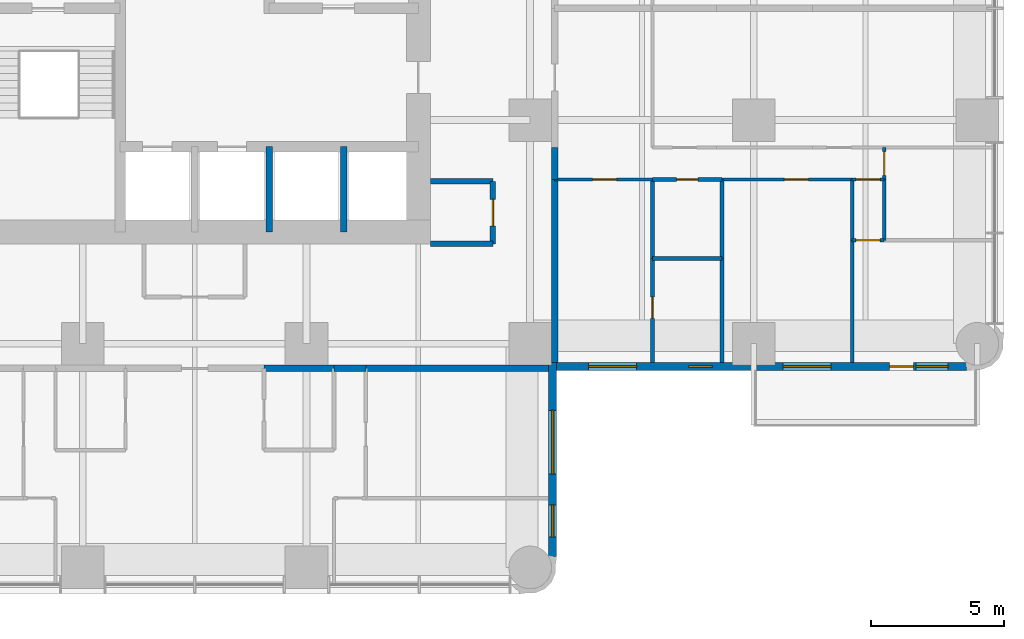
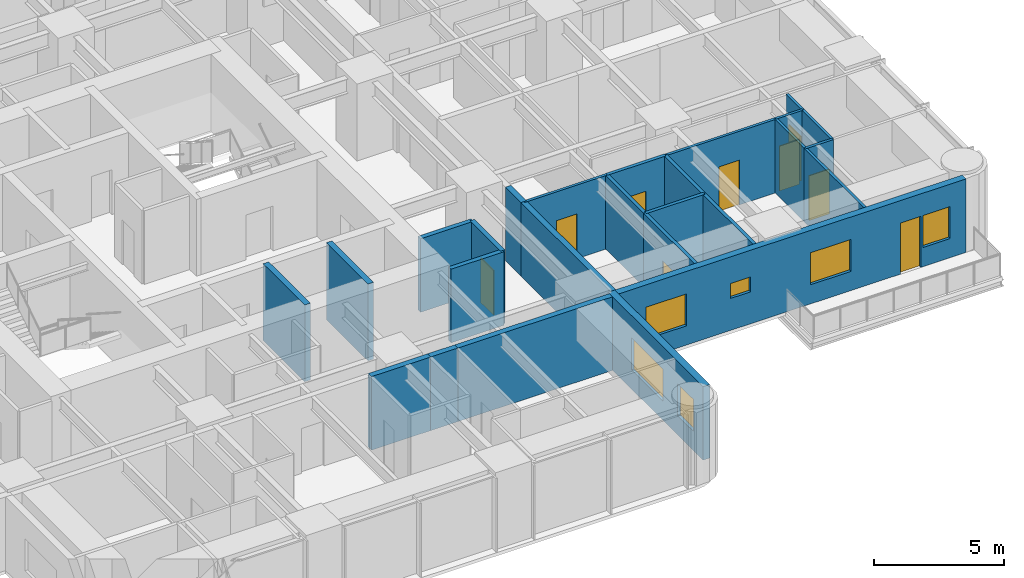
# One storey, part 9 of 15: 26 walls, 9 doors, 6 windows, 15 openings.
"""IFC4 building model written with IfcOpenShell, lengths in metres."""

from ifc_helpers import new_model, si_unit, direction, frame, frame_2d, origin, place, context, subcontext, project, spatial, rectangle, extrude, material, layer, layer_set, type_object, element, fill, save


model = new_model("IFC4")

# Units and contexts
model_context = context("Model", 3, precision=1e-05, world=origin(), true_north=direction((0.0, 1.0)))
body_context = subcontext(model_context, "Body", "Model", "MODEL_VIEW")
ifc_project = project(units=[si_unit("LENGTHUNIT", "METRE"), si_unit("AREAUNIT", "SQUARE_METRE"), si_unit("VOLUMEUNIT", "CUBIC_METRE"), si_unit("PLANEANGLEUNIT", "RADIAN"), si_unit("MASSUNIT", "GRAM", prefix="KILO")], contexts=[model_context])

# Site, building, storey
site_placement = place(None, origin())
site = spatial("IfcSite", under=ifc_project, at=site_placement, CompositionType="ELEMENT")
building_placement = place(site_placement, origin())
building = spatial("IfcBuilding", under=site, at=building_placement, Name="Torre Alcanfor", CompositionType="ELEMENT")
storey_placement = place(building_placement, frame((0.0, 0.0, 123.300048828125)))
storey = spatial("IfcBuildingStorey", under=building, at=storey_placement, Name="L31", CompositionType="ELEMENT", Elevation=123.300048828125)

# Walls
ifc_material_1 = material(Name="Concrete block masonry, hollow blocks NMX-C-404 9 MPa", Category="masonry")
ifc_layer_1 = layer(ifc_material_1, 0.25)
ifc_layer_set_1 = layer_set([ifc_layer_1], Name="Apartment entrance wall 250 EI 60")
wall_type_1 = type_object("IfcWallType", Name="Apartment entrance wall 250 EI 60", PredefinedType="PARTITIONING", material=ifc_layer_set_1)
wall_1_placement = place(storey_placement, frame((42.925048828125, 24.1708984375, 0.0), z_axis=(0.0, 0.0, 1.0), x_axis=(0.0, -1.0, 0.0)))
element("IfcWall", 1, at=wall_1_placement, inside=storey, type_object=wall_type_1, Name="Partition L31-CORR / L31-E2-HALL", PredefinedType="PARTITIONING", context=body_context, shape_type="SweptSolid", body=[
    extrude(rectangle(XDim=1.199951171875, YDim=0.25, at=frame_2d((0.60009765625, 0.0))), origin(), (0.0, 0.0, 1.0), 3.449951171875),
])
wall_2_placement = place(storey_placement, frame((42.925048828125, 22.970947265625, 0.0), z_axis=(0.0, 0.0, 1.0), x_axis=(0.0, -1.0, 0.0)))
element("IfcWall", 2, at=wall_2_placement, inside=storey, type_object=wall_type_1, Name="Partition L31-CORR / L31-E2-SERV", PredefinedType="PARTITIONING", context=body_context, shape_type="SweptSolid", body=[
    extrude(rectangle(XDim=6.870849609375, YDim=0.25, at=frame_2d((3.435546875, 0.0))), origin(), (0.0, 0.0, 1.0), 3.449951171875),
])
wall_3_placement = place(storey_placement, frame((34.62890625, 15.875, 0.0), z_axis=(0.0, 0.0, 1.0), x_axis=(-1.0, 0.0, 0.0)))
element("IfcWall", 3, at=wall_3_placement, inside=storey, type_object=wall_type_1, Name="Partition L31-CORR / L31-SX-BATH2", PredefinedType="PARTITIONING", context=body_context, shape_type="SweptSolid", body=[
    extrude(rectangle(XDim=2.62890625, YDim=0.25, at=frame_2d((1.314453125, 0.0))), origin(), (0.0, 0.0, 1.0), 3.449951171875),
])
wall_4_placement = place(storey_placement, frame((35.8291015625, 15.875, 0.0), z_axis=(0.0, 0.0, 1.0), x_axis=(-1.0, 0.0, 0.0)))
element("IfcWall", 4, at=wall_4_placement, inside=storey, type_object=wall_type_1, Name="Partition L31-CORR / L31-SX-LIVING", PredefinedType="PARTITIONING", context=body_context, shape_type="SweptSolid", body=[
    extrude(rectangle(XDim=1.2001953125, YDim=0.25, at=frame_2d((0.60009765625, 0.0))), origin(), (0.0, 0.0, 1.0), 3.449951171875),
])
wall_5_placement = place(storey_placement, frame((42.699951171875, 15.875, 0.0), z_axis=(0.0, 0.0, 1.0), x_axis=(-1.0, 0.0, 0.0)))
element("IfcWall", 5, at=wall_5_placement, inside=storey, type_object=wall_type_1, Name="Partition L31-CORR / L31-SX-BED2", PredefinedType="PARTITIONING", context=body_context, shape_type="SweptSolid", body=[
    extrude(rectangle(XDim=6.870849609375, YDim=0.25, at=frame_2d((3.435546875, 0.0))), origin(), (0.0, 0.0, 1.0), 3.449951171875),
])

# Wall, opening, door
ifc_material_2 = material(Name="Gypsum board on steel studs", Category="steel")
ifc_layer_2 = layer(ifc_material_2, 0.1201171875)
ifc_layer_set_2 = layer_set([ifc_layer_2], Name="Apartment partition 120")
wall_type_2 = type_object("IfcWallType", Name="Apartment partition 120", PredefinedType="PARTITIONING", material=ifc_layer_set_2)
wall_6_placement = place(storey_placement, frame((46.60009765625, 22.970947265625, 0.0), z_axis=(0.0, 0.0, 1.0), x_axis=(-1.0, 0.0, 0.0)))
wall_6 = element("IfcWall", 6, at=wall_6_placement, inside=storey, type_object=wall_type_2, Name="Partition L31-E2-HALL / L31-E2-SERV", PredefinedType="PARTITIONING", context=body_context, shape_type="SweptSolid", body=[
    extrude(rectangle(XDim=3.675048828125, YDim=0.1201171875, at=frame_2d((1.83740234375, 0.0))), origin(), (0.0, 0.0, 1.0), 3.449951171875),
])
opening_1_placement = place(wall_6_placement, frame((1.35009765625, 0.0, 0.0)))
opening_1 = element("IfcOpeningElement", 7, at=opening_1_placement, cuts=wall_6, Name="Opening D-R1", PredefinedType="OPENING", context=body_context, shape_type="SweptSolid", body=[
    extrude(rectangle(XDim=0.89990234375, YDim=2.10009765625, at=frame_2d((0.449951171875, 1.050048828125))), frame((0.0, 0.070068359375, 0.0), z_axis=(0.0, -1.0, 0.0), x_axis=(1.0, 0.0, 0.0)), (0.0, 0.0, 1.0), 0.14013671875),
])
ifc_material_3 = material(Name="Timber", Category="wood")
door_type_1 = type_object("IfcDoorType", Name="Internal door 900x2100", OperationType="SINGLE_SWING_LEFT", PredefinedType="DOOR", material=ifc_material_3)
door_1_placement = place(opening_1_placement, origin())
door_1 = element("IfcDoor", 8, at=door_1_placement, inside=storey, type_object=door_type_1, Name="Door L31-E2 serv", OperationType="SINGLE_SWING_LEFT", OverallHeight=2.10009765625, OverallWidth=0.89990234375, PredefinedType="DOOR", context=body_context, shape_type="SweptSolid", body=[
    extrude(rectangle(XDim=0.89990234375, YDim=2.10009765625, at=frame_2d((0.449951171875, 1.050048828125))), frame((0.0, 0.02490234375, 0.0), z_axis=(0.0, -1.0, 0.0), x_axis=(1.0, 0.0, 0.0)), (0.0, 0.0, 1.0), 0.050048828125),
])
fill(opening_1, door_1)

wall_7_placement = place(storey_placement, frame((54.10009765625, 22.970947265625, 0.0), z_axis=(0.0, 0.0, 1.0), x_axis=(-1.0, 0.0, 0.0)))
wall_7 = element("IfcWall", 9, at=wall_7_placement, inside=storey, type_object=wall_type_2, Name="Partition L31-E2-HALL / L31-E2-BED3", PredefinedType="PARTITIONING", context=body_context, shape_type="SweptSolid", body=[
    extrude(rectangle(XDim=4.900146484375, YDim=0.1201171875, at=frame_2d((2.4501953125, 0.0))), origin(), (0.0, 0.0, 1.0), 3.449951171875),
])
opening_2_placement = place(wall_7_placement, frame((1.64990234375, 0.0, 0.0)))
opening_2 = element("IfcOpeningElement", 10, at=opening_2_placement, cuts=wall_7, Name="Opening D-R1", PredefinedType="OPENING", context=body_context, shape_type="SweptSolid", body=[
    extrude(rectangle(XDim=0.89990234375, YDim=2.10009765625, at=frame_2d((0.449951171875, 1.050048828125))), frame((0.0, 0.070068359375, 0.0), z_axis=(0.0, -1.0, 0.0), x_axis=(1.0, 0.0, 0.0)), (0.0, 0.0, 1.0), 0.14013671875),
])
door_2_placement = place(opening_2_placement, origin())
door_2 = element("IfcDoor", 11, at=door_2_placement, inside=storey, type_object=door_type_1, Name="Door L31-E2 bed3", OperationType="SINGLE_SWING_LEFT", OverallHeight=2.10009765625, OverallWidth=0.89990234375, PredefinedType="DOOR", context=body_context, shape_type="SweptSolid", body=[
    extrude(rectangle(XDim=0.89990234375, YDim=2.10009765625, at=frame_2d((0.449951171875, 1.050048828125))), frame((0.0, 0.02490234375, 0.0), z_axis=(0.0, -1.0, 0.0), x_axis=(1.0, 0.0, 0.0)), (0.0, 0.0, 1.0), 0.050048828125),
])
fill(opening_2, door_2)

wall_8_placement = place(storey_placement, frame((55.300048828125, 22.970947265625, 0.0), z_axis=(0.0, 0.0, 1.0), x_axis=(-1.0, 0.0, 0.0)))
wall_8 = element("IfcWall", 12, at=wall_8_placement, inside=storey, type_object=wall_type_2, Name="Partition L31-E2-HALL / L31-E2-VEST", PredefinedType="PARTITIONING", context=body_context, shape_type="SweptSolid", body=[
    extrude(rectangle(XDim=1.199951171875, YDim=0.1201171875, at=frame_2d((0.60009765625, 0.0))), origin(), (0.0, 0.0, 1.0), 3.449951171875),
])
opening_3_placement = place(wall_8_placement, frame((0.14990234375, 0.0, 0.0)))
opening_3 = element("IfcOpeningElement", 13, at=opening_3_placement, cuts=wall_8, Name="Opening D-R1", PredefinedType="OPENING", context=body_context, shape_type="SweptSolid", body=[
    extrude(rectangle(XDim=0.89990234375, YDim=2.10009765625, at=frame_2d((0.449951171875, 1.050048828125))), frame((0.0, 0.070068359375, 0.0), z_axis=(0.0, -1.0, 0.0), x_axis=(1.0, 0.0, 0.0)), (0.0, 0.0, 1.0), 0.14013671875),
])
door_3_placement = place(opening_3_placement, origin())
door_3 = element("IfcDoor", 14, at=door_3_placement, inside=storey, type_object=door_type_1, Name="Door L31-E2 vest", OperationType="SINGLE_SWING_LEFT", OverallHeight=2.10009765625, OverallWidth=0.89990234375, PredefinedType="DOOR", context=body_context, shape_type="SweptSolid", body=[
    extrude(rectangle(XDim=0.89990234375, YDim=2.10009765625, at=frame_2d((0.449951171875, 1.050048828125))), frame((0.0, 0.02490234375, 0.0), z_axis=(0.0, -1.0, 0.0), x_axis=(1.0, 0.0, 0.0)), (0.0, 0.0, 1.0), 0.050048828125),
])
fill(opening_3, door_3)

wall_9_placement = place(storey_placement, frame((55.300048828125, 24.1708984375, 0.0), z_axis=(0.0, 0.0, 1.0), x_axis=(0.0, -1.0, 0.0)))
wall_9 = element("IfcWall", 15, at=wall_9_placement, inside=storey, type_object=wall_type_2, Name="Partition L31-E2-HALL / L31-E2-BED2", PredefinedType="PARTITIONING", context=body_context, shape_type="SweptSolid", body=[
    extrude(rectangle(XDim=1.199951171875, YDim=0.1201171875, at=frame_2d((0.60009765625, 0.0))), origin(), (0.0, 0.0, 1.0), 3.449951171875),
])
opening_4_placement = place(wall_9_placement, frame((0.15087890625, 0.0, 0.0)))
opening_4 = element("IfcOpeningElement", 16, at=opening_4_placement, cuts=wall_9, Name="Opening D-R1", PredefinedType="OPENING", context=body_context, shape_type="SweptSolid", body=[
    extrude(rectangle(XDim=0.89990234375, YDim=2.10009765625, at=frame_2d((0.449951171875, 1.050048828125))), frame((0.0, 0.070068359375, 0.0), z_axis=(0.0, -1.0, 0.0), x_axis=(1.0, 0.0, 0.0)), (0.0, 0.0, 1.0), 0.14013671875),
])
door_4_placement = place(opening_4_placement, origin())
door_4 = element("IfcDoor", 17, at=door_4_placement, inside=storey, type_object=door_type_1, Name="Door L31-E2 bed2", OperationType="SINGLE_SWING_LEFT", OverallHeight=2.10009765625, OverallWidth=0.89990234375, PredefinedType="DOOR", context=body_context, shape_type="SweptSolid", body=[
    extrude(rectangle(XDim=0.89990234375, YDim=2.10009765625, at=frame_2d((0.449951171875, 1.050048828125))), frame((0.0, 0.02490234375, 0.0), z_axis=(0.0, -1.0, 0.0), x_axis=(1.0, 0.0, 0.0)), (0.0, 0.0, 1.0), 0.050048828125),
])
fill(opening_4, door_4)

# Walls
wall_10_placement = place(storey_placement, frame((54.10009765625, 22.970947265625, 0.0), z_axis=(0.0, 0.0, 1.0), x_axis=(0.0, -1.0, 0.0)))
element("IfcWall", 18, at=wall_10_placement, inside=storey, type_object=wall_type_2, Name="Partition L31-E2-BED3 / L31-E2-VEST", PredefinedType="PARTITIONING", context=body_context, shape_type="SweptSolid", body=[
    extrude(rectangle(XDim=2.284912109375, YDim=0.1201171875, at=frame_2d((1.142578125, 0.0))), origin(), (0.0, 0.0, 1.0), 3.449951171875),
])
wall_11_placement = place(storey_placement, frame((54.10009765625, 20.68603515625, 0.0), z_axis=(0.0, 0.0, 1.0), x_axis=(0.0, -1.0, 0.0)))
element("IfcWall", 19, at=wall_11_placement, inside=storey, type_object=wall_type_2, Name="Partition L31-E2-BED3 / L31-E2-MASTER", PredefinedType="PARTITIONING", context=body_context, shape_type="SweptSolid", body=[
    extrude(rectangle(XDim=4.5859375, YDim=0.1201171875, at=frame_2d((2.29296875, 0.0))), origin(), (0.0, 0.0, 1.0), 3.449951171875),
])
wall_12_placement = place(storey_placement, frame((55.300048828125, 22.970947265625, 0.0), z_axis=(0.0, 0.0, 1.0), x_axis=(0.0, -1.0, 0.0)))
element("IfcWall", 20, at=wall_12_placement, inside=storey, type_object=wall_type_2, Name="Partition L31-E2-VEST / L31-E2-BED2", PredefinedType="PARTITIONING", context=body_context, shape_type="SweptSolid", body=[
    extrude(rectangle(XDim=2.284912109375, YDim=0.1201171875, at=frame_2d((1.142578125, 0.0))), origin(), (0.0, 0.0, 1.0), 3.449951171875),
])

# Wall, opening, door
wall_13_placement = place(storey_placement, frame((55.300048828125, 20.68603515625, 0.0), z_axis=(0.0, 0.0, 1.0), x_axis=(-1.0, 0.0, 0.0)))
wall_13 = element("IfcWall", 21, at=wall_13_placement, inside=storey, type_object=wall_type_2, Name="Partition L31-E2-VEST / L31-E2-MASTER", PredefinedType="PARTITIONING", context=body_context, shape_type="SweptSolid", body=[
    extrude(rectangle(XDim=1.199951171875, YDim=0.1201171875, at=frame_2d((0.60009765625, 0.0))), origin(), (0.0, 0.0, 1.0), 3.449951171875),
])
opening_5_placement = place(wall_13_placement, frame((0.14990234375, 0.0, 0.0)))
opening_5 = element("IfcOpeningElement", 22, at=opening_5_placement, cuts=wall_13, Name="Opening D-R1", PredefinedType="OPENING", context=body_context, shape_type="SweptSolid", body=[
    extrude(rectangle(XDim=0.89990234375, YDim=2.10009765625, at=frame_2d((0.449951171875, 1.050048828125))), frame((0.0, 0.070068359375, 0.0), z_axis=(0.0, -1.0, 0.0), x_axis=(1.0, 0.0, 0.0)), (0.0, 0.0, 1.0), 0.14013671875),
])
door_5_placement = place(opening_5_placement, frame((0.89990234375, 0.0, 0.0), z_axis=(0.0, 0.0, 1.0), x_axis=(-1.0, 0.0, 0.0)))
door_5 = element("IfcDoor", 23, at=door_5_placement, inside=storey, type_object=door_type_1, Name="Door L31-E2 master", OperationType="SINGLE_SWING_RIGHT", OverallHeight=2.10009765625, OverallWidth=0.89990234375, PredefinedType="DOOR", context=body_context, shape_type="SweptSolid", body=[
    extrude(rectangle(XDim=0.89990234375, YDim=2.10009765625, at=frame_2d((0.449951171875, 1.050048828125))), frame((0.0, 0.025146484375, 0.0), z_axis=(0.0, -1.0, 0.0), x_axis=(1.0, 0.0, 0.0)), (0.0, 0.0, 1.0), 0.050048828125),
])
fill(opening_5, door_5)

# Walls
ifc_material_4 = material(Name="Concrete f'c 70 MPa", Category="concrete")
ifc_layer_3 = layer(ifc_material_4, 0.25)
ifc_layer_set_3 = layer_set([ifc_layer_3], Name="Core shaft wall 250 f'c70")
wall_type_3 = type_object("IfcWallType", Name="Core shaft wall 250 f'c70", PredefinedType="SHEAR", material=ifc_layer_set_3)
for number, where, z_axis, x_axis, name in (
    (24, (32.199951171875, 21.0, 0.0), (0.0, 0.0, 1.0), (0.0, 1.0, 0.0), "Core wall X322S L31"),
    (25, (35.0, 21.0, 0.0), (0.0, 0.0, 1.0), (0.0, 1.0, 0.0), "Core wall X350S L31"),
):
    element("IfcWall", number, at=place(storey_placement, frame(where, z_axis=z_axis, x_axis=x_axis)), inside=storey, type_object=wall_type_3, Name=name, PredefinedType="SHEAR", context=body_context, shape_type="SweptSolid", body=[
        extrude(rectangle(XDim=3.199951171875, YDim=0.25, at=frame_2d((1.60009765625, 0.0))), origin(), (0.0, 0.0, 1.0), 3.599853515625),
    ])

# Wall, openings, windows
ifc_material_5 = material(Name="Limestone cladding", Category="masonry")
ifc_layer_4 = layer(ifc_material_5, 0.0400390625, Name="Facing")
ifc_material_6 = material(Name="Ventilated air cavity")
ifc_layer_5 = layer(ifc_material_6, 0.02001953125, ventilated=True, Name="Ventilated joint")
ifc_material_7 = material(Name="Mineral wool insulation", Category="insulation")
ifc_layer_6 = layer(ifc_material_7, 0.10009765625, Name="Insulation")
ifc_material_8 = material(Name="Concrete f'c 35 MPa", Category="concrete")
ifc_layer_7 = layer(ifc_material_8, 0.139892578125, Name="Backing")
ifc_layer_set_4 = layer_set([ifc_layer_4, ifc_layer_5, ifc_layer_6, ifc_layer_7], Name="External wall stone-clad 300")
wall_type_4 = type_object("IfcWallType", Name="External wall stone-clad 300", PredefinedType="SOLIDWALL", material=ifc_layer_set_4)
wall_14_placement = place(storey_placement, frame((42.85009765625, 8.800048828125, 0.0), z_axis=(0.0, 0.0, 1.0), x_axis=(0.0, 1.0, 0.0)))
wall_14 = element("IfcWall", 26, at=wall_14_placement, inside=storey, type_object=wall_type_4, Name="External wall L31 6", PredefinedType="SOLIDWALL", context=body_context, shape_type="SweptSolid", body=[
    extrude(rectangle(XDim=7.300048828125, YDim=0.300048828125, at=frame_2d((3.64990234375, 0.0))), origin(), (0.0, 0.0, 1.0), 3.449951171875),
])
opening_6_placement = place(wall_14_placement, frame((3.10009765625, 0.0, 0.89990234375)))
opening_6 = element("IfcOpeningElement", 27, at=opening_6_placement, cuts=wall_14, Name="Opening W1", PredefinedType="OPENING", context=body_context, shape_type="SweptSolid", body=[
    extrude(rectangle(XDim=2.39990234375, YDim=1.5, at=frame_2d((1.199951171875, 0.75))), frame((0.0, 0.159912109375, 0.0), z_axis=(0.0, -1.0, 0.0), x_axis=(1.0, 0.0, 0.0)), (0.0, 0.0, 1.0), 0.320068359375),
])
opening_7_placement = place(wall_14_placement, frame((0.75, 0.0, 0.89990234375)))
opening_7 = element("IfcOpeningElement", 28, at=opening_7_placement, cuts=wall_14, Name="Opening W4", PredefinedType="OPENING", context=body_context, shape_type="SweptSolid", body=[
    extrude(rectangle(XDim=1.199951171875, YDim=1.5, at=frame_2d((0.60009765625, 0.75))), frame((0.0, 0.159912109375, 0.0), z_axis=(0.0, -1.0, 0.0), x_axis=(1.0, 0.0, 0.0)), (0.0, 0.0, 1.0), 0.320068359375),
])
ifc_material_9 = material(Name="Aluminium frame with clear double glazing", Category="aluminium")
window_type_1 = type_object("IfcWindowType", Name="Window bedroom 1200x1500", PartitioningType="SINGLE_PANEL", PredefinedType="WINDOW", material=ifc_material_9)
window_1_placement = place(opening_7_placement, origin())
window_1 = element("IfcWindow", 29, at=window_1_placement, inside=storey, type_object=window_type_1, Name="Window W4 L31-S1", OverallHeight=1.5, OverallWidth=1.199951171875, PartitioningType="SINGLE_PANEL", PredefinedType="WINDOW", context=body_context, shape_type="SweptSolid", body=[
    extrude(rectangle(XDim=1.199951171875, YDim=1.5, at=frame_2d((0.60009765625, 0.75))), frame((0.0, 0.030029296875, 0.0), z_axis=(0.0, -1.0, 0.0), x_axis=(1.0, 0.0, 0.0)), (0.0, 0.0, 1.0), 0.06005859375),
])
fill(opening_7, window_1)
ifc_material_10 = material(Name="Aluminium frame with clear double glazing", Category="aluminium")
window_type_2 = type_object("IfcWindowType", Name="Window bedroom 2400x1500", PartitioningType="SINGLE_PANEL", PredefinedType="WINDOW", material=ifc_material_10)
window_2_placement = place(opening_6_placement, origin())
window_2 = element("IfcWindow", 30, at=window_2_placement, inside=storey, type_object=window_type_2, Name="Window W1 L31-S1", OverallHeight=1.5, OverallWidth=2.39990234375, PartitioningType="SINGLE_PANEL", PredefinedType="WINDOW", context=body_context, shape_type="SweptSolid", body=[
    extrude(rectangle(XDim=2.39990234375, YDim=1.5, at=frame_2d((1.199951171875, 0.75))), frame((0.0, 0.030029296875, 0.0), z_axis=(0.0, -1.0, 0.0), x_axis=(1.0, 0.0, 0.0)), (0.0, 0.0, 1.0), 0.06005859375),
])
fill(opening_6, window_2)

# Wall, openings, door, windows
wall_15_placement = place(storey_placement, frame((43.0, 15.949951171875, 0.0), z_axis=(0.0, 0.0, 1.0), x_axis=(1.0, 0.0, 0.0)))
wall_15 = element("IfcWall", 31, at=wall_15_placement, inside=storey, type_object=wall_type_4, Name="External wall L31 7", PredefinedType="SOLIDWALL", context=body_context, shape_type="SweptSolid", body=[
    extrude(rectangle(XDim=15.39990234375, YDim=0.300048828125, at=frame_2d((7.699951171875, 0.0))), origin(), (0.0, 0.0, 1.0), 3.449951171875),
])
opening_8_placement = place(wall_15_placement, frame((1.199951171875, 0.0, 0.89990234375)))
opening_8 = element("IfcOpeningElement", 32, at=opening_8_placement, cuts=wall_15, Name="Opening W2", PredefinedType="OPENING", context=body_context, shape_type="SweptSolid", body=[
    extrude(rectangle(XDim=1.800048828125, YDim=1.5, at=frame_2d((0.89990234375, 0.75))), frame((0.0, 0.159912109375, 0.0), z_axis=(0.0, -1.0, 0.0), x_axis=(1.0, 0.0, 0.0)), (0.0, 0.0, 1.0), 0.320068359375),
])
opening_9_placement = place(wall_15_placement, frame((4.949951171875, 0.0, 1.5)))
opening_9 = element("IfcOpeningElement", 33, at=opening_9_placement, cuts=wall_15, Name="Opening W3", PredefinedType="OPENING", context=body_context, shape_type="SweptSolid", body=[
    extrude(rectangle(XDim=0.89990234375, YDim=0.699951171875, at=frame_2d((0.449951171875, 0.35009765625))), frame((0.0, 0.159912109375, 0.0), z_axis=(0.0, -1.0, 0.0), x_axis=(1.0, 0.0, 0.0)), (0.0, 0.0, 1.0), 0.320068359375),
])
opening_10_placement = place(wall_15_placement, frame((8.5, 0.0, 0.89990234375)))
opening_10 = element("IfcOpeningElement", 34, at=opening_10_placement, cuts=wall_15, Name="Opening W2", PredefinedType="OPENING", context=body_context, shape_type="SweptSolid", body=[
    extrude(rectangle(XDim=1.800048828125, YDim=1.5, at=frame_2d((0.89990234375, 0.75))), frame((0.0, 0.159912109375, 0.0), z_axis=(0.0, -1.0, 0.0), x_axis=(1.0, 0.0, 0.0)), (0.0, 0.0, 1.0), 0.320068359375),
])
opening_11_placement = place(wall_15_placement, frame((12.5, 0.0, 0.0)))
opening_11 = element("IfcOpeningElement", 35, at=opening_11_placement, cuts=wall_15, Name="Opening D-B1", PredefinedType="OPENING", context=body_context, shape_type="SweptSolid", body=[
    extrude(rectangle(XDim=0.89990234375, YDim=2.39990234375, at=frame_2d((0.449951171875, 1.199951171875))), frame((0.0, 0.159912109375, 0.0), z_axis=(0.0, -1.0, 0.0), x_axis=(1.0, 0.0, 0.0)), (0.0, 0.0, 1.0), 0.320068359375),
])
opening_12_placement = place(wall_15_placement, frame((13.5, 0.0, 0.89990234375)))
opening_12 = element("IfcOpeningElement", 36, at=opening_12_placement, cuts=wall_15, Name="Opening W4", PredefinedType="OPENING", context=body_context, shape_type="SweptSolid", body=[
    extrude(rectangle(XDim=1.199951171875, YDim=1.5, at=frame_2d((0.60009765625, 0.75))), frame((0.0, 0.159912109375, 0.0), z_axis=(0.0, -1.0, 0.0), x_axis=(1.0, 0.0, 0.0)), (0.0, 0.0, 1.0), 0.320068359375),
])
ifc_material_11 = material(Name="Aluminium and glass", Category="aluminium")
door_type_2 = type_object("IfcDoorType", Name="Balcony door glazed 900x2400", OperationType="SINGLE_SWING_LEFT", PredefinedType="DOOR", material=ifc_material_11)
door_6_placement = place(opening_11_placement, origin())
door_6 = element("IfcDoor", 37, at=door_6_placement, inside=storey, type_object=door_type_2, Name="Balcony door L31-E2", OperationType="SINGLE_SWING_LEFT", OverallHeight=2.39990234375, OverallWidth=0.89990234375, PredefinedType="DOOR", context=body_context, shape_type="SweptSolid", body=[
    extrude(rectangle(XDim=0.89990234375, YDim=2.39990234375, at=frame_2d((0.449951171875, 1.199951171875))), frame((0.0, 0.02490234375, 0.0), z_axis=(0.0, -1.0, 0.0), x_axis=(1.0, 0.0, 0.0)), (0.0, 0.0, 1.0), 0.050048828125),
])
fill(opening_11, door_6)
ifc_material_12 = material(Name="Aluminium frame with clear double glazing", Category="aluminium")
window_type_3 = type_object("IfcWindowType", Name="Window bathroom 900x700", PartitioningType="SINGLE_PANEL", PredefinedType="WINDOW", material=ifc_material_12)
window_3_placement = place(opening_9_placement, origin())
window_3 = element("IfcWindow", 38, at=window_3_placement, inside=storey, type_object=window_type_3, Name="Window W3 L31-E2", OverallHeight=0.699951171875, OverallWidth=0.89990234375, PartitioningType="SINGLE_PANEL", PredefinedType="WINDOW", context=body_context, shape_type="SweptSolid", body=[
    extrude(rectangle(XDim=0.89990234375, YDim=0.699951171875, at=frame_2d((0.449951171875, 0.35009765625))), frame((0.0, 0.030029296875, 0.0), z_axis=(0.0, -1.0, 0.0), x_axis=(1.0, 0.0, 0.0)), (0.0, 0.0, 1.0), 0.06005859375),
])
fill(opening_9, window_3)
window_4_placement = place(opening_12_placement, origin())
window_4 = element("IfcWindow", 39, at=window_4_placement, inside=storey, type_object=window_type_1, Name="Window W4 L31-E2", OverallHeight=1.5, OverallWidth=1.199951171875, PartitioningType="SINGLE_PANEL", PredefinedType="WINDOW", context=body_context, shape_type="SweptSolid", body=[
    extrude(rectangle(XDim=1.199951171875, YDim=1.5, at=frame_2d((0.60009765625, 0.75))), frame((0.0, 0.030029296875, 0.0), z_axis=(0.0, -1.0, 0.0), x_axis=(1.0, 0.0, 0.0)), (0.0, 0.0, 1.0), 0.06005859375),
])
fill(opening_12, window_4)
ifc_material_13 = material(Name="Aluminium frame with clear double glazing", Category="aluminium")
window_type_4 = type_object("IfcWindowType", Name="Window bedroom 1800x1500", PartitioningType="SINGLE_PANEL", PredefinedType="WINDOW", material=ifc_material_13)
window_5_placement = place(opening_8_placement, origin())
window_5 = element("IfcWindow", 40, at=window_5_placement, inside=storey, type_object=window_type_4, Name="Window W2 L31-E2", OverallHeight=1.5, OverallWidth=1.800048828125, PartitioningType="SINGLE_PANEL", PredefinedType="WINDOW", context=body_context, shape_type="SweptSolid", body=[
    extrude(rectangle(XDim=1.800048828125, YDim=1.5, at=frame_2d((0.89990234375, 0.75))), frame((0.0, 0.030029296875, 0.0), z_axis=(0.0, -1.0, 0.0), x_axis=(1.0, 0.0, 0.0)), (0.0, 0.0, 1.0), 0.06005859375),
])
fill(opening_8, window_5)
window_6_placement = place(opening_10_placement, origin())
window_6 = element("IfcWindow", 41, at=window_6_placement, inside=storey, type_object=window_type_4, Name="Window W2 L31-E2", OverallHeight=1.5, OverallWidth=1.800048828125, PartitioningType="SINGLE_PANEL", PredefinedType="WINDOW", context=body_context, shape_type="SweptSolid", body=[
    extrude(rectangle(XDim=1.800048828125, YDim=1.5, at=frame_2d((0.89990234375, 0.75))), frame((0.0, 0.030029296875, 0.0), z_axis=(0.0, -1.0, 0.0), x_axis=(1.0, 0.0, 0.0)), (0.0, 0.0, 1.0), 0.06005859375),
])
fill(opening_10, window_6)

# Wall
ifc_material_14 = material(Name="Concrete block masonry, hollow blocks NMX-C-404 9 MPa", Category="masonry")
ifc_layer_8 = layer(ifc_material_14, 0.199951171875)
ifc_layer_set_5 = layer_set([ifc_layer_8], Name="Plant room wall 200 EI 60")
wall_type_5 = type_object("IfcWallType", Name="Plant room wall 200 EI 60", PredefinedType="PARTITIONING", material=ifc_layer_set_5)
wall_16_placement = place(storey_placement, frame((38.25, 20.550048828125, 0.0), z_axis=(0.0, 0.0, 1.0), x_axis=(1.0, 0.0, 0.0)))
element("IfcWall", 42, at=wall_16_placement, inside=storey, type_object=wall_type_5, Name="Partition L31-CORR / L31-G03", PredefinedType="PARTITIONING", context=body_context, shape_type="SweptSolid", body=[
    extrude(rectangle(XDim=2.35009765625, YDim=0.199951171875, at=frame_2d((1.175048828125, 0.0))), origin(), (0.0, 0.0, 1.0), 3.449951171875),
])

# Wall, opening, door
wall_17_placement = place(storey_placement, frame((40.60009765625, 20.550048828125, 0.0), z_axis=(0.0, 0.0, 1.0), x_axis=(0.0, 1.0, 0.0)))
wall_17 = element("IfcWall", 43, at=wall_17_placement, inside=storey, type_object=wall_type_5, Name="Partition L31-CORR / L31-G03", PredefinedType="PARTITIONING", context=body_context, shape_type="SweptSolid", body=[
    extrude(rectangle(XDim=2.349853515625, YDim=0.199951171875, at=frame_2d((1.1748046875, 0.0))), origin(), (0.0, 0.0, 1.0), 3.449951171875),
])
opening_13_placement = place(wall_17_placement, frame((0.675048828125, 0.0, 0.0)))
opening_13 = element("IfcOpeningElement", 44, at=opening_13_placement, cuts=wall_17, Name="Opening D-K1", PredefinedType="OPENING", context=body_context, shape_type="SweptSolid", body=[
    extrude(rectangle(XDim=1.0, YDim=2.10009765625, at=frame_2d((0.5, 1.050048828125))), frame((0.0, 0.10986328125, 0.0), z_axis=(0.0, -1.0, 0.0), x_axis=(1.0, 0.0, 0.0)), (0.0, 0.0, 1.0), 0.219970703125),
])
ifc_material_15 = material(Name="Galvanised steel sheet ASTM A653", Category="steel")
door_type_3 = type_object("IfcDoorType", Name="Core room door FD60 1000x2100", OperationType="SINGLE_SWING_LEFT", PredefinedType="DOOR", material=ifc_material_15)
door_7_placement = place(opening_13_placement, origin())
door_7 = element("IfcDoor", 45, at=door_7_placement, inside=storey, type_object=door_type_3, Name="Door L31-G03 refuse and recycling store", OperationType="SINGLE_SWING_LEFT", OverallHeight=2.10009765625, OverallWidth=1.0, PredefinedType="DOOR", context=body_context, shape_type="SweptSolid", body=[
    extrude(rectangle(XDim=1.0, YDim=2.10009765625, at=frame_2d((0.5, 1.050048828125))), frame((0.0, 0.02490234375, 0.0), z_axis=(0.0, -1.0, 0.0), x_axis=(1.0, 0.0, 0.0)), (0.0, 0.0, 1.0), 0.050048828125),
])
fill(opening_13, door_7)

# Wall
wall_18_placement = place(storey_placement, frame((40.60009765625, 22.89990234375, 0.0), z_axis=(0.0, 0.0, 1.0), x_axis=(-1.0, 0.0, 0.0)))
element("IfcWall", 46, at=wall_18_placement, inside=storey, type_object=wall_type_5, Name="Partition L31-CORR / L31-G03", PredefinedType="PARTITIONING", context=body_context, shape_type="SweptSolid", body=[
    extrude(rectangle(XDim=2.35009765625, YDim=0.199951171875, at=frame_2d((1.175048828125, 0.0))), origin(), (0.0, 0.0, 1.0), 3.449951171875),
])

# Wall, opening, door
ifc_material_16 = material(Name="Cement board on steel studs", Category="steel")
ifc_layer_9 = layer(ifc_material_16, 0.14990234375)
ifc_layer_set_6 = layer_set([ifc_layer_9], Name="Wet area partition 150")
wall_type_6 = type_object("IfcWallType", Name="Wet area partition 150", PredefinedType="PARTITIONING", material=ifc_layer_set_6)
wall_19_placement = place(storey_placement, frame((49.199951171875, 22.970947265625, 0.0), z_axis=(0.0, 0.0, 1.0), x_axis=(-1.0, 0.0, 0.0)))
wall_19 = element("IfcWall", 47, at=wall_19_placement, inside=storey, type_object=wall_type_6, Name="Partition L31-E2-HALL / L31-E2-BATH1", PredefinedType="PARTITIONING", context=body_context, shape_type="SweptSolid", body=[
    extrude(rectangle(XDim=2.599853515625, YDim=0.14990234375, at=frame_2d((1.2998046875, 0.0))), origin(), (0.0, 0.0, 1.0), 3.449951171875),
])
opening_14_placement = place(wall_19_placement, frame((0.89990234375, 0.0, 0.0)))
opening_14 = element("IfcOpeningElement", 48, at=opening_14_placement, cuts=wall_19, Name="Opening D-R2", PredefinedType="OPENING", context=body_context, shape_type="SweptSolid", body=[
    extrude(rectangle(XDim=0.800048828125, YDim=2.10009765625, at=frame_2d((0.39990234375, 1.050048828125))), frame((0.0, 0.0849609375, 0.0), z_axis=(0.0, -1.0, 0.0), x_axis=(1.0, 0.0, 0.0)), (0.0, 0.0, 1.0), 0.169921875),
])
ifc_material_17 = material(Name="Timber", Category="wood")
door_type_4 = type_object("IfcDoorType", Name="Bathroom door 800x2100", OperationType="SINGLE_SWING_LEFT", PredefinedType="DOOR", material=ifc_material_17)
door_8_placement = place(opening_14_placement, origin())
door_8 = element("IfcDoor", 49, at=door_8_placement, inside=storey, type_object=door_type_4, Name="Door L31-E2 bath1", OperationType="SINGLE_SWING_LEFT", OverallHeight=2.10009765625, OverallWidth=0.800048828125, PredefinedType="DOOR", context=body_context, shape_type="SweptSolid", body=[
    extrude(rectangle(XDim=0.800048828125, YDim=2.10009765625, at=frame_2d((0.39990234375, 1.050048828125))), frame((0.0, 0.02490234375, 0.0), z_axis=(0.0, -1.0, 0.0), x_axis=(1.0, 0.0, 0.0)), (0.0, 0.0, 1.0), 0.050048828125),
])
fill(opening_14, door_8)

# Wall
wall_20_placement = place(storey_placement, frame((46.60009765625, 22.970947265625, 0.0), z_axis=(0.0, 0.0, 1.0), x_axis=(0.0, -1.0, 0.0)))
element("IfcWall", 50, at=wall_20_placement, inside=storey, type_object=wall_type_6, Name="Partition L31-E2-SERV / L31-E2-BATH1", PredefinedType="PARTITIONING", context=body_context, shape_type="SweptSolid", body=[
    extrude(rectangle(XDim=2.970947265625, YDim=0.14990234375, at=frame_2d((1.4853515625, 0.0))), origin(), (0.0, 0.0, 1.0), 3.449951171875),
])

# Wall, opening, door
wall_21_placement = place(storey_placement, frame((46.60009765625, 20.0, 0.0), z_axis=(0.0, 0.0, 1.0), x_axis=(0.0, -1.0, 0.0)))
wall_21 = element("IfcWall", 51, at=wall_21_placement, inside=storey, type_object=wall_type_6, Name="Partition L31-E2-SERV / L31-E2-SBATH", PredefinedType="PARTITIONING", context=body_context, shape_type="SweptSolid", body=[
    extrude(rectangle(XDim=3.89990234375, YDim=0.14990234375, at=frame_2d((1.949951171875, 0.0))), origin(), (0.0, 0.0, 1.0), 3.449951171875),
])
opening_15_placement = place(wall_21_placement, frame((1.449951171875, 0.0, 0.0)))
opening_15 = element("IfcOpeningElement", 52, at=opening_15_placement, cuts=wall_21, Name="Opening D-R2", PredefinedType="OPENING", context=body_context, shape_type="SweptSolid", body=[
    extrude(rectangle(XDim=0.800048828125, YDim=2.10009765625, at=frame_2d((0.39990234375, 1.050048828125))), frame((0.0, 0.0849609375, 0.0), z_axis=(0.0, -1.0, 0.0), x_axis=(1.0, 0.0, 0.0)), (0.0, 0.0, 1.0), 0.169921875),
])
door_9_placement = place(opening_15_placement, origin())
door_9 = element("IfcDoor", 53, at=door_9_placement, inside=storey, type_object=door_type_4, Name="Door L31-E2 sbath", OperationType="SINGLE_SWING_LEFT", OverallHeight=2.10009765625, OverallWidth=0.800048828125, PredefinedType="DOOR", context=body_context, shape_type="SweptSolid", body=[
    extrude(rectangle(XDim=0.800048828125, YDim=2.10009765625, at=frame_2d((0.39990234375, 1.050048828125))), frame((0.0, 0.02490234375, 0.0), z_axis=(0.0, -1.0, 0.0), x_axis=(1.0, 0.0, 0.0)), (0.0, 0.0, 1.0), 0.050048828125),
])
fill(opening_15, door_9)

# Walls
wall_22_placement = place(storey_placement, frame((49.199951171875, 20.0, 0.0), z_axis=(0.0, 0.0, 1.0), x_axis=(-1.0, 0.0, 0.0)))
element("IfcWall", 54, at=wall_22_placement, inside=storey, type_object=wall_type_6, Name="Partition L31-E2-BATH1 / L31-E2-SBATH", PredefinedType="PARTITIONING", context=body_context, shape_type="SweptSolid", body=[
    extrude(rectangle(XDim=2.599853515625, YDim=0.14990234375, at=frame_2d((1.2998046875, 0.0))), origin(), (0.0, 0.0, 1.0), 3.449951171875),
])
wall_23_placement = place(storey_placement, frame((49.199951171875, 22.970947265625, 0.0), z_axis=(0.0, 0.0, 1.0), x_axis=(0.0, -1.0, 0.0)))
element("IfcWall", 55, at=wall_23_placement, inside=storey, type_object=wall_type_6, Name="Partition L31-E2-BATH1 / L31-E2-BED3", PredefinedType="PARTITIONING", context=body_context, shape_type="SweptSolid", body=[
    extrude(rectangle(XDim=2.970947265625, YDim=0.14990234375, at=frame_2d((1.4853515625, 0.0))), origin(), (0.0, 0.0, 1.0), 3.449951171875),
])
wall_24_placement = place(storey_placement, frame((49.199951171875, 20.0, 0.0), z_axis=(0.0, 0.0, 1.0), x_axis=(0.0, -1.0, 0.0)))
element("IfcWall", 56, at=wall_24_placement, inside=storey, type_object=wall_type_6, Name="Partition L31-E2-SBATH / L31-E2-BED3", PredefinedType="PARTITIONING", context=body_context, shape_type="SweptSolid", body=[
    extrude(rectangle(XDim=3.89990234375, YDim=0.14990234375, at=frame_2d((1.949951171875, 0.0))), origin(), (0.0, 0.0, 1.0), 3.449951171875),
])

save(model, "model.ifc")
